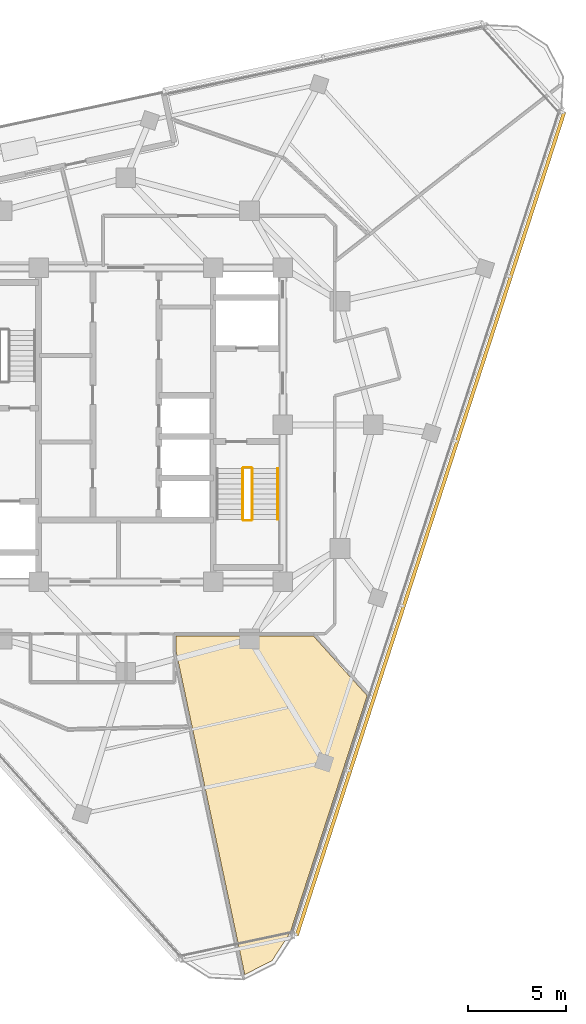
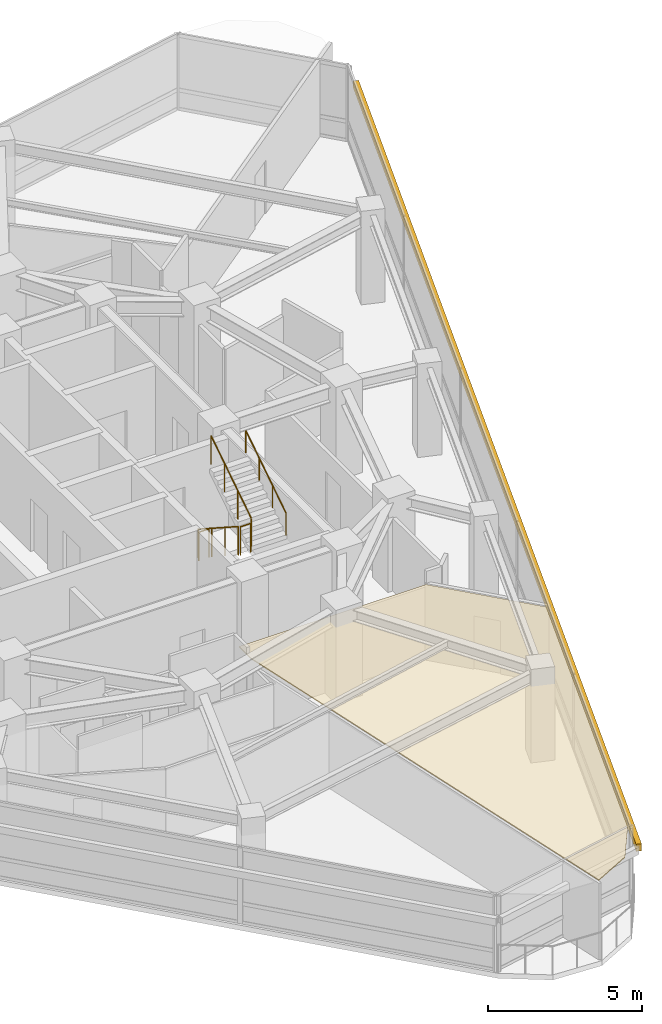
# One storey, part 13 of 15: 5 railings, 1 covering, 1 shading device.
"""IFC4 building model written with IfcOpenShell, lengths in metres."""

from ifc_helpers import new_model, si_unit, direction, frame, origin, origin_2d, place, context, subcontext, project, spatial, polyline, rectangle, circle, outline, extrude, material, layer, layer_set, type_object, element, save


model = new_model("IFC4")

# Units and contexts
model_context = context("Model", 3, precision=1e-05, world=origin(), true_north=direction((0.0, 1.0)))
body_context = subcontext(model_context, "Body", "Model", "MODEL_VIEW")
ifc_project = project(units=[si_unit("LENGTHUNIT", "METRE"), si_unit("AREAUNIT", "SQUARE_METRE"), si_unit("VOLUMEUNIT", "CUBIC_METRE"), si_unit("PLANEANGLEUNIT", "RADIAN"), si_unit("MASSUNIT", "GRAM", prefix="KILO")], contexts=[model_context])

# Site, building, storey
site_placement = place(None, origin())
site = spatial("IfcSite", under=ifc_project, at=site_placement, CompositionType="ELEMENT")
building_placement = place(site_placement, origin())
building = spatial("IfcBuilding", under=site, at=building_placement, Name="Terralouvre Media Tower", CompositionType="ELEMENT")
storey_placement = place(building_placement, frame((0.0, 0.0, 290.60009765625)))
storey = spatial("IfcBuildingStorey", under=building, at=storey_placement, Name="L75", CompositionType="ELEMENT", Elevation=290.60009765625)

# Covering
ifc_material_1 = material(Name="Perforated aluminium acoustic ceiling baffle", Category="aluminium")
ifc_layer_1 = layer(ifc_material_1, 0.0400390625, Name="Perforated Acoustic Metal Tile Ceiling CL-AC1")
ifc_layer_set_1 = layer_set([ifc_layer_1], Name="Perforated aluminium acoustic ceiling baffle")
covering_type = type_object("IfcCoveringType", Name="Perforated Acoustic Metal Tile Ceiling CL-AC1", PredefinedType="CEILING", material=ifc_layer_set_1)
covering_placement = place(storey_placement, frame((0.0, 0.0, 2.97998046875), z_axis=(0.0, 0.0, 1.0), x_axis=(0.309016994375, 0.951056516295, 0.0)))
element("IfcCovering", 1, at=covering_placement, inside=storey, type_object=covering_type, Name="L75 Voice Coaching Interview Room 5 Acoustic Ceiling", PredefinedType="CEILING", context=body_context, shape_type="SweptSolid", body=[
    extrude(outline(polyline([(-9.435791015625, -5.7470703125), (-10.163818359375, -5.983642578125), (-13.560791015625, -7.945068359375), (-24.7685546875, -14.4150390625), (-23.666015625, -15.518310546875), (-22.03125, -15.9560546875), (-9.32763671875, -15.956298828125), (-7.2744140625, -12.399169921875), (-9.435791015625, -5.7470703125)])), origin(), (0.0, 0.0, 1.0), 0.0400390625),
])

# Railings
ifc_material_2 = material(Name="Stainless steel 316 handrail and balustrade", Category="steel")
ifc_layer_2 = layer(ifc_material_2, 0.050048828125, Name="Stair Flight Wall Handrail HR-INT1")
ifc_layer_set_2 = layer_set([ifc_layer_2], Name="Stainless steel 316 handrail and balustrade")
railing_type_1 = type_object("IfcRailingType", Name="Stair Flight Wall Handrail HR-INT1", PredefinedType="HANDRAIL", material=ifc_layer_set_2)
railing_1_placement = place(storey_placement, frame((7.72998046875, -4.820068359375, 2.01806640625)))
element("IfcRailing", 2, at=railing_1_placement, inside=storey, type_object=railing_type_1, Name="L75 ST-02 stair handrail 2", PredefinedType="HANDRAIL", context=body_context, shape_type="SweptSolid", body=[
    extrude(circle(Radius=0.02392578125, at=origin_2d()), frame((0.0, 0.0, 0.8759765625), z_axis=(0.0, 0.839648411786, 0.543130320075), x_axis=(-1.0, 0.0, 0.0)), (0.0, 0.0, 1.0), 3.0966796875),
    extrude(circle(Radius=0.02099609375, at=origin_2d()), origin(), (0.0, 0.0, 1.0), 0.851806640625),
    extrude(circle(Radius=0.02099609375, at=origin_2d()), frame((0.0, 0.86669921875, 0.560546875)), (0.0, 0.0, 1.0), 0.851806640625),
    extrude(circle(Radius=0.02099609375, at=origin_2d()), frame((0.0, 1.7333984375, 1.121337890625)), (0.0, 0.0, 1.0), 0.851806640625),
    extrude(circle(Radius=0.02099609375, at=origin_2d()), frame((0.0, 2.60009765625, 1.681884765625)), (0.0, 0.0, 1.0), 0.851806640625),
])
ifc_material_3 = material(Name="Stainless steel 316 handrail and balustrade", Category="steel")
ifc_layer_3 = layer(ifc_material_3, 0.050048828125, Name="Stairwell Safety Guardrail GR-INT1")
ifc_layer_set_3 = layer_set([ifc_layer_3], Name="Stainless steel 316 handrail and balustrade")
railing_type_2 = type_object("IfcRailingType", Name="Stairwell Safety Guardrail GR-INT1", PredefinedType="GUARDRAIL", material=ifc_layer_set_3)
railing_2_placement = place(storey_placement, frame((5.949951171875, -2.219970703125, 0.16796875)))
element("IfcRailing", 3, at=railing_2_placement, inside=storey, type_object=railing_type_2, Name="L75 ST-02 stair guard 1", PredefinedType="GUARDRAIL", context=body_context, shape_type="SweptSolid", body=[
    extrude(circle(Radius=0.02392578125, at=origin_2d()), frame((0.0, 0.0, 1.1259765625), z_axis=(0.0, -0.839648411786, 0.543130320075), x_axis=(1.0, 0.0, 0.0)), (0.0, 0.0, 1.0), 3.0966796875),
    extrude(circle(Radius=0.02099609375, at=origin_2d()), origin(), (0.0, 0.0, 1.0), 1.101806640625),
    extrude(circle(Radius=0.02099609375, at=origin_2d()), frame((0.0, -0.86669921875, 0.560546875)), (0.0, 0.0, 1.0), 1.101806640625),
    extrude(circle(Radius=0.02099609375, at=origin_2d()), frame((0.0, -1.7333984375, 1.121337890625)), (0.0, 0.0, 1.0), 1.101806640625),
    extrude(circle(Radius=0.02099609375, at=origin_2d()), frame((0.0, -2.60009765625, 1.681884765625)), (0.0, 0.0, 1.0), 1.101806640625),
])
railing_3_placement = place(storey_placement, frame((6.0, -4.8701171875, 1.849853515625)))
element("IfcRailing", 4, at=railing_3_placement, inside=storey, type_object=railing_type_2, Name="L75 ST-02 stair guard 2", PredefinedType="GUARDRAIL", context=body_context, shape_type="SweptSolid", body=[
    extrude(circle(Radius=0.02392578125, at=origin_2d()), frame((0.0, 0.0, 1.1259765625), z_axis=(1.0, 0.0, 0.0), x_axis=(0.0, 1.0, 0.0)), (0.0, 0.0, 1.0), 0.3798828125),
    extrude(circle(Radius=0.02099609375, at=origin_2d()), origin(), (0.0, 0.0, 1.0), 1.101806640625),
    extrude(circle(Radius=0.02099609375, at=origin_2d()), frame((0.3798828125, 0.0, 0.0)), (0.0, 0.0, 1.0), 1.101806640625),
])
railing_4_placement = place(storey_placement, frame((6.429931640625, -4.820068359375, 2.01806640625)))
element("IfcRailing", 5, at=railing_4_placement, inside=storey, type_object=railing_type_2, Name="L75 ST-02 stair guard 3", PredefinedType="GUARDRAIL", context=body_context, shape_type="SweptSolid", body=[
    extrude(circle(Radius=0.02392578125, at=origin_2d()), frame((0.0, 0.0, 1.1259765625), z_axis=(0.0, 0.839648411786, 0.543130320075), x_axis=(-1.0, 0.0, 0.0)), (0.0, 0.0, 1.0), 3.0966796875),
    extrude(circle(Radius=0.02099609375, at=origin_2d()), origin(), (0.0, 0.0, 1.0), 1.101806640625),
    extrude(circle(Radius=0.02099609375, at=origin_2d()), frame((0.0, 0.86669921875, 0.560546875)), (0.0, 0.0, 1.0), 1.101806640625),
    extrude(circle(Radius=0.02099609375, at=origin_2d()), frame((0.0, 1.7333984375, 1.121337890625)), (0.0, 0.0, 1.0), 1.101806640625),
    extrude(circle(Radius=0.02099609375, at=origin_2d()), frame((0.0, 2.60009765625, 1.681884765625)), (0.0, 0.0, 1.0), 1.101806640625),
])
railing_5_placement = place(storey_placement, frame((6.0, -2.169921875, 0.0)))
element("IfcRailing", 6, at=railing_5_placement, inside=storey, type_object=railing_type_2, Name="L75 ST-02 stair guard 4", PredefinedType="GUARDRAIL", context=body_context, shape_type="SweptSolid", body=[
    extrude(circle(Radius=0.02392578125, at=origin_2d()), frame((0.0, 0.0, 1.1259765625), z_axis=(1.0, 0.0, 0.0), x_axis=(0.0, 1.0, 0.0)), (0.0, 0.0, 1.0), 0.3798828125),
    extrude(circle(Radius=0.02099609375, at=origin_2d()), origin(), (0.0, 0.0, 1.0), 1.101806640625),
    extrude(circle(Radius=0.02099609375, at=origin_2d()), frame((0.3798828125, 0.0, 0.0)), (0.0, 0.0, 1.0), 1.101806640625),
])

# Shading device
ifc_material_4 = material(Name="Extruded terracotta baguette sunshade louvres", Category="masonry")
shading_device_type = type_object("IfcShadingDeviceType", Name="Terracotta Baguette Sunshade Louvre Screen TB-LV1", PredefinedType="USERDEFINED", material=ifc_material_4)
shading_device_placement = place(storey_placement, frame((15.517822265625, -5.0419921875, 2.02392578125), z_axis=(0.0, 0.0, 1.0), x_axis=(0.309017021946, 0.951056507337, 0.0)))
element("IfcShadingDevice", 7, at=shading_device_placement, inside=storey, type_object=shading_device_type, Name="CW-L75-F0 Terracotta Baguette Sunshade Louvre", ObjectType="BAGUETTE", PredefinedType="USERDEFINED", context=body_context, shape_type="SweptSolid", body=[
    extrude(rectangle(XDim=44.1201171875, YDim=0.179931640625, at=origin_2d()), origin(), (0.0, 0.0, 1.0), 0.280029296875),
])

save(model, "model.ifc")
